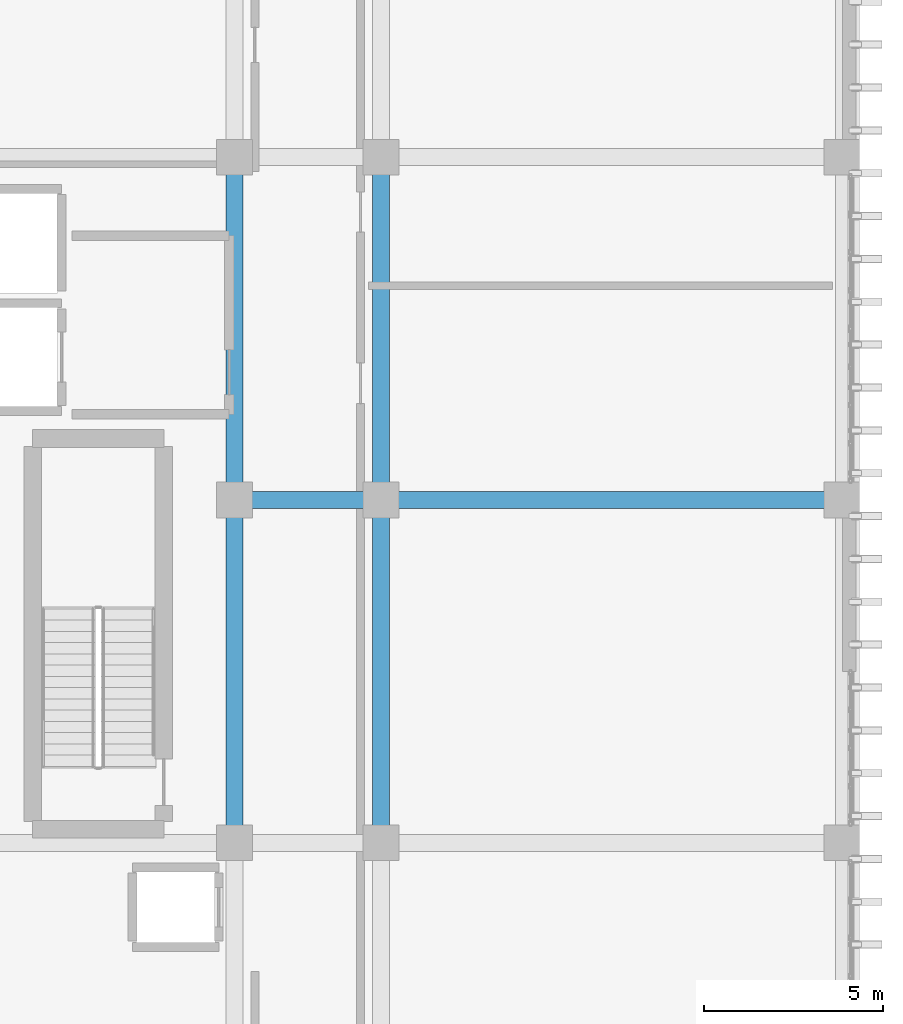
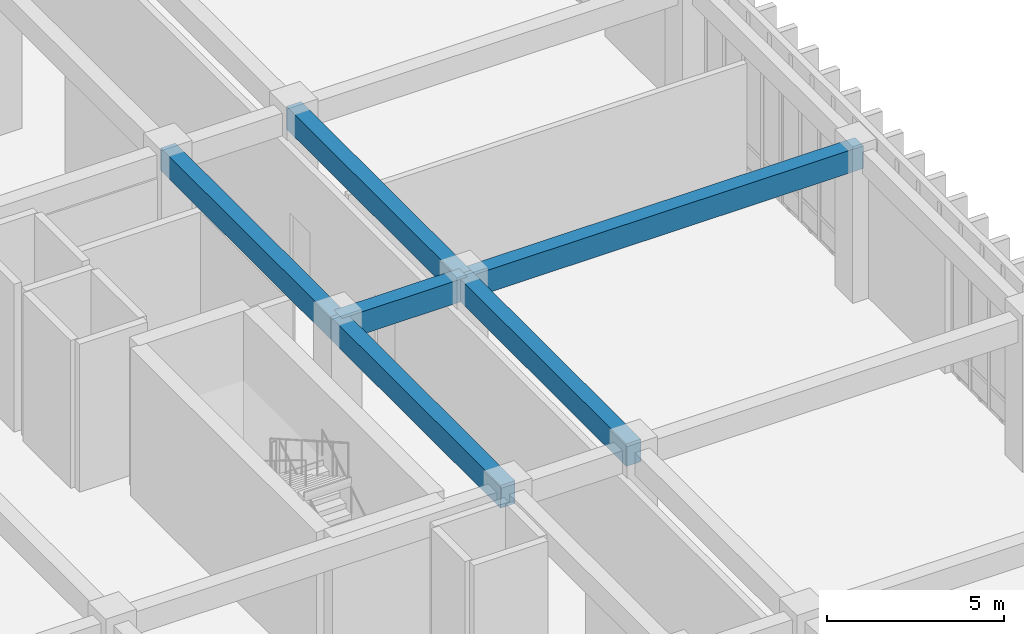
# One storey, part 73 of 134: 6 beams.
"""IFC4 building model written with IfcOpenShell, lengths in metres."""

from ifc_helpers import new_model, si_unit, direction, frame, origin, origin_2d, place, context, subcontext, project, spatial, rectangle, extrude, material, material_profile, profile_set, type_object, element, save


model = new_model("IFC4")

# Units and contexts
model_context = context("Model", 3, precision=1e-05, world=origin(), true_north=direction((0.0, 1.0)))
body_context = subcontext(model_context, "Body", "Model", "MODEL_VIEW")
ifc_project = project(units=[si_unit("LENGTHUNIT", "METRE"), si_unit("AREAUNIT", "SQUARE_METRE"), si_unit("VOLUMEUNIT", "CUBIC_METRE"), si_unit("PLANEANGLEUNIT", "RADIAN"), si_unit("MASSUNIT", "GRAM", prefix="KILO")], contexts=[model_context])

# Site, building, storey
site_placement = place(None, origin())
site = spatial("IfcSite", under=ifc_project, at=site_placement, CompositionType="ELEMENT")
building_placement = place(site_placement, origin())
building = spatial("IfcBuilding", under=site, at=building_placement, Name="Nakhvara Creek Congress Hotel", CompositionType="ELEMENT")
storey_placement = place(building_placement, frame((0.0, 0.0, 6.0)))
storey = spatial("IfcBuildingStorey", under=building, at=storey_placement, Name="L01", CompositionType="ELEMENT", Elevation=6.0)

# Beams
ifc_material = material(Name="Concrete C40/50", Category="concrete")
ifc_material_profile = material_profile(ifc_material, rectangle(XDim=0.47998046875, YDim=0.780029296875, at=origin_2d()), Name="RC-BM 480x780", Category="LoadBearing")
ifc_profile_set = profile_set([ifc_material_profile], Name="Concrete C40/50")
beam_type = type_object("IfcBeamType", Name="BM-RC-480X780", PredefinedType="BEAM", material=ifc_profile_set)
beam_1_placement = place(storey_placement, frame((162.35009765625, 76.800048828125, 4.7099609375), z_axis=(0.0, 1.0, 0.0), x_axis=(-1.0, 0.0, 0.0)))
element("IfcBeam", 1, at=beam_1_placement, inside=storey, type_object=beam_type, Name="Beam B13-L01-1313", PredefinedType="BEAM", context=body_context, shape_type="SweptSolid", body=[
    extrude(rectangle(XDim=0.47998046875, YDim=0.780029296875, at=origin_2d()), origin(), (0.0, 0.0, 1.0), 9.599853515625),
])
beam_2_placement = place(storey_placement, frame((162.35009765625, 86.39990234375, 4.7099609375), z_axis=(0.0, 1.0, 0.0), x_axis=(-1.0, 0.0, 0.0)))
element("IfcBeam", 2, at=beam_2_placement, inside=storey, type_object=beam_type, Name="Beam B13-L01-1315", PredefinedType="BEAM", context=body_context, shape_type="SweptSolid", body=[
    extrude(rectangle(XDim=0.47998046875, YDim=0.780029296875, at=origin_2d()), origin(), (0.0, 0.0, 1.0), 9.60009765625),
])
beam_3_placement = place(storey_placement, frame((162.35009765625, 86.39990234375, 4.7099609375), z_axis=(1.0, 0.0, 0.0), x_axis=(0.0, 1.0, 0.0)))
element("IfcBeam", 3, at=beam_3_placement, inside=storey, type_object=beam_type, Name="Beam B13-L01-1316", PredefinedType="BEAM", context=body_context, shape_type="SweptSolid", body=[
    extrude(rectangle(XDim=0.47998046875, YDim=0.780029296875, at=origin_2d()), origin(), (0.0, 0.0, 1.0), 4.099853515625),
])
beam_4_placement = place(storey_placement, frame((166.449951171875, 76.800048828125, 4.7099609375), z_axis=(0.0, 1.0, 0.0), x_axis=(-1.0, 0.0, 0.0)))
element("IfcBeam", 4, at=beam_4_placement, inside=storey, type_object=beam_type, Name="Beam B13-L01-1338", PredefinedType="BEAM", context=body_context, shape_type="SweptSolid", body=[
    extrude(rectangle(XDim=0.47998046875, YDim=0.780029296875, at=origin_2d()), origin(), (0.0, 0.0, 1.0), 9.599853515625),
])
beam_5_placement = place(storey_placement, frame((166.449951171875, 86.39990234375, 4.7099609375), z_axis=(0.0, 1.0, 0.0), x_axis=(-1.0, 0.0, 0.0)))
element("IfcBeam", 5, at=beam_5_placement, inside=storey, type_object=beam_type, Name="Beam B13-L01-1340", PredefinedType="BEAM", context=body_context, shape_type="SweptSolid", body=[
    extrude(rectangle(XDim=0.47998046875, YDim=0.780029296875, at=origin_2d()), origin(), (0.0, 0.0, 1.0), 9.60009765625),
])
beam_6_placement = place(storey_placement, frame((166.449951171875, 86.39990234375, 4.7099609375), z_axis=(1.0, 0.0, 0.0), x_axis=(0.0, 1.0, 0.0)))
element("IfcBeam", 6, at=beam_6_placement, inside=storey, type_object=beam_type, Name="Beam B13-L01-1341", PredefinedType="BEAM", context=body_context, shape_type="SweptSolid", body=[
    extrude(rectangle(XDim=0.47998046875, YDim=0.780029296875, at=origin_2d()), origin(), (0.0, 0.0, 1.0), 12.900146484375),
])

save(model, "model.ifc")
